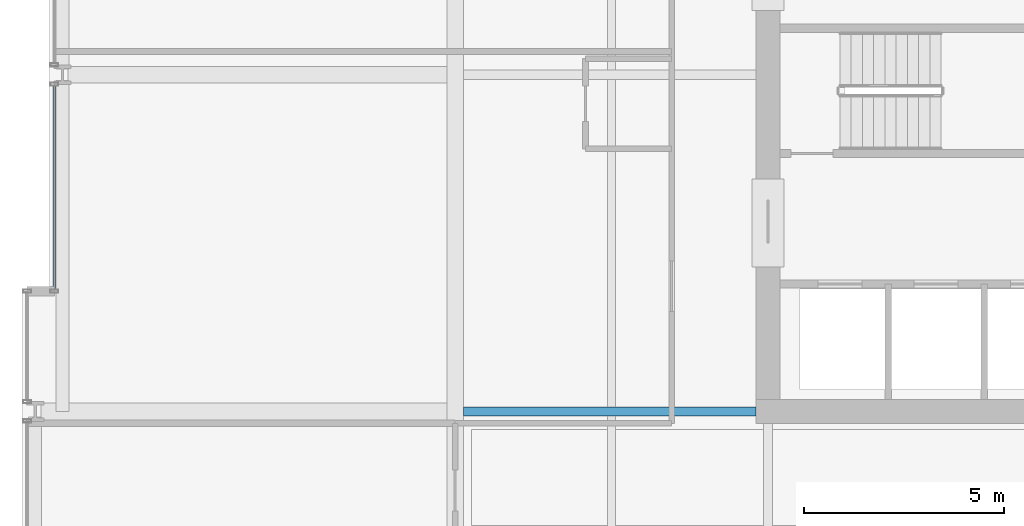
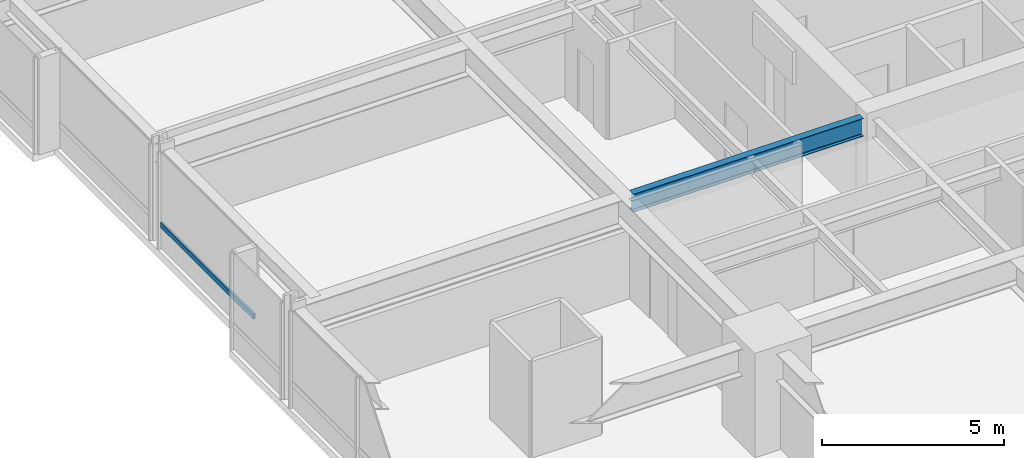
# One storey, part 8 of 38: 1 beam, 1 member, 1 element without a shape of its own.
"""IFC4 building model written with IfcOpenShell, lengths in metres."""

from ifc_helpers import new_model, si_unit, direction, frame, origin, origin_2d, place, context, subcontext, project, spatial, hollow_rectangle, i_section, extrude, material, layer, layer_set, material_profile, profile_set, type_object, element, aggregate, save


model = new_model("IFC4")

# Units and contexts
model_context = context("Model", 3, precision=1e-05, world=origin(), true_north=direction((0.0, 1.0)))
body_context = subcontext(model_context, "Body", "Model", "MODEL_VIEW")
ifc_project = project(units=[si_unit("LENGTHUNIT", "METRE"), si_unit("AREAUNIT", "SQUARE_METRE"), si_unit("VOLUMEUNIT", "CUBIC_METRE"), si_unit("PLANEANGLEUNIT", "RADIAN"), si_unit("MASSUNIT", "GRAM", prefix="KILO")], contexts=[model_context])

# Site, building, storey
site_placement = place(None, origin())
site = spatial("IfcSite", under=ifc_project, at=site_placement, CompositionType="ELEMENT")
building_placement = place(site_placement, origin())
building = spatial("IfcBuilding", under=site, at=building_placement, Name="Drelvath Grand Hotel", CompositionType="ELEMENT")
storey_placement = place(building_placement, frame((0.0, 0.0, 47.199951171875)))
storey = spatial("IfcBuildingStorey", under=building, at=storey_placement, Name="L10", CompositionType="ELEMENT", Elevation=47.199951171875)

# Curtain wall, member
ifc_material_1 = material(Name="Warm Bronze Anodised Aluminium Frame", Category="aluminium")
ifc_layer = layer(ifc_material_1, 0.199951171875)
ifc_layer_set = layer_set([ifc_layer], Name="Warm Bronze Anodised Aluminium Frame")
curtain_wall_type = type_object("IfcCurtainWallType", Name="Stick Curtain Wall CW-02 Warm Bronze Low-Rise", PredefinedType="NOTDEFINED", material=ifc_layer_set)
curtain_wall_placement = place(storey_placement, origin())
curtain_wall = element("IfcCurtainWall", 1, at=curtain_wall_placement, inside=storey, type_object=curtain_wall_type, Name="L10 CW-02 Curtain Wall CW02-L10-WM1", PredefinedType="NOTDEFINED")
ifc_material_profile_1 = material_profile(ifc_material_1, hollow_rectangle(XDim=0.074951171875, YDim=0.179931640625, WallThickness=0.0048828125, at=origin_2d()), Name="HSS180X75X5")
ifc_profile_set_1 = profile_set([ifc_material_profile_1], Name="Warm Bronze Anodised Aluminium Frame")
member_type = type_object("IfcMemberType", Name="Curtain Wall Horizontal Transom CW-02 HSS180X75X5", PredefinedType="USERDEFINED", material=ifc_profile_set_1)
member_placement = place(storey_placement, frame((-26.199951171875, 21.639892578125, 0.81005859375), z_axis=(0.0, 1.0, 0.0), x_axis=(-1.0, 0.0, 0.0)))
member = element("IfcMember", 2, at=member_placement, type_object=member_type, Name="CW02-L10-WM1 Sill Transom", ObjectType="TRANSOM", PredefinedType="USERDEFINED", context=body_context, shape_type="SweptSolid", body=[
    extrude(hollow_rectangle(XDim=0.074951171875, YDim=0.179931640625, WallThickness=0.0048828125, at=origin_2d()), origin(), (0.0, 0.0, 1.0), 5.0791015625),
])
aggregate(curtain_wall, [member])

# Beam
ifc_material_2 = material(Name="Steel ASTM A992 Gr 50", Category="steel")
ifc_material_profile_2 = material_profile(ifc_material_2, i_section(OverallWidth=0.228271484375, OverallDepth=0.607666015625, WebThickness=0.01123046875, FlangeThickness=0.017333984375, FilletRadius=0.02001953125, at=origin_2d()), Name="W24X76")
ifc_profile_set_2 = profile_set([ifc_material_profile_2], Name="Steel ASTM A992 Gr 50")
beam_type = type_object("IfcBeamType", Name="Primary Floor Girder W24X76", PredefinedType="BEAM", material=ifc_profile_set_2)
beam_placement = place(storey_placement, frame((-15.99072265625, 18.60009765625, 2.936279296875), z_axis=(1.0, 0.0, 0.0), x_axis=(0.0, 1.0, 0.0)))
element("IfcBeam", 3, at=beam_placement, inside=storey, type_object=beam_type, Name="L10 West Core Tie D", PredefinedType="BEAM", context=body_context, shape_type="SweptSolid", body=[
    extrude(i_section(OverallWidth=0.228271484375, OverallDepth=0.607666015625, WebThickness=0.01123046875, FlangeThickness=0.017333984375, FilletRadius=0.02001953125, at=origin_2d()), origin(), (0.0, 0.0, 1.0), 7.290771484375),
])

save(model, "model.ifc")
